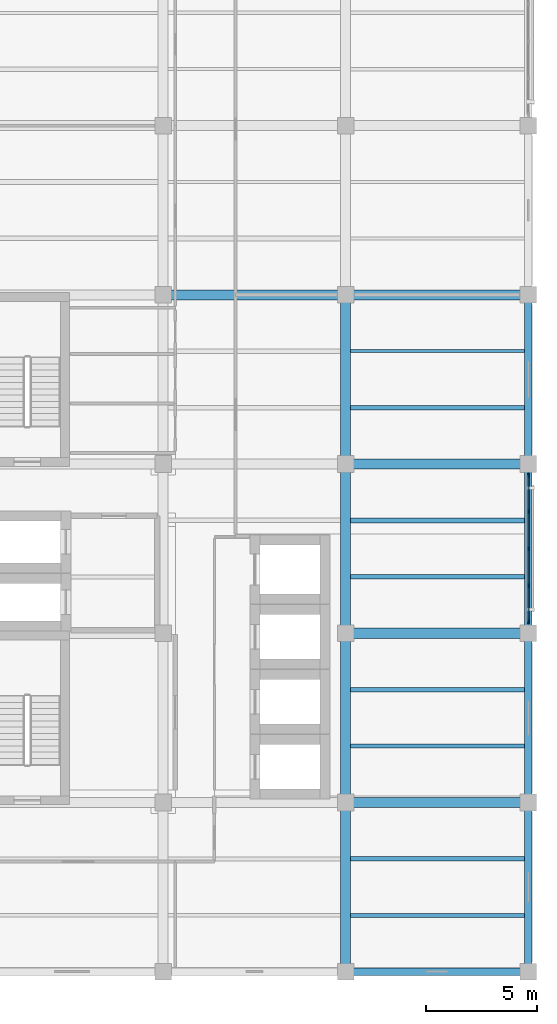
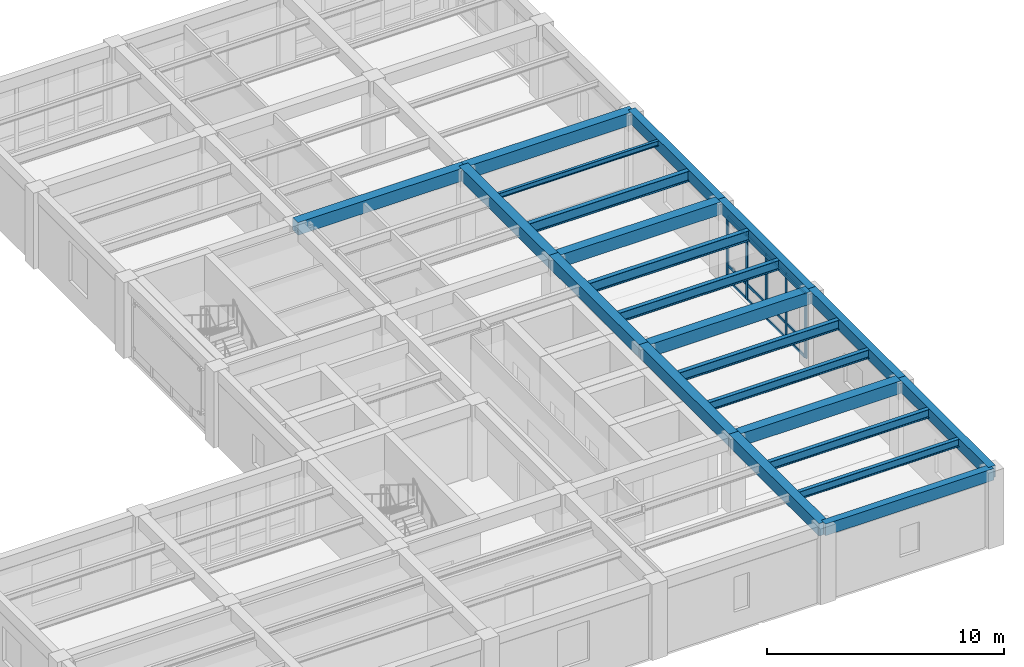
# One storey, part 3 of 13: 22 beams, 17 members, 1 element without a shape of its own.
"""IFC4 building model written with IfcOpenShell, lengths in metres."""

from ifc_helpers import new_model, si_unit, direction, frame, origin, origin_2d, place, context, subcontext, project, spatial, rectangle, i_section, extrude, material, material_profile, profile_set, type_object, element, aggregate, save


model = new_model("IFC4")

# Units and contexts
model_context = context("Model", 3, precision=1e-05, world=origin(), true_north=direction((0.0, 1.0)))
body_context = subcontext(model_context, "Body", "Model", "MODEL_VIEW")
ifc_project = project(units=[si_unit("LENGTHUNIT", "METRE"), si_unit("AREAUNIT", "SQUARE_METRE"), si_unit("VOLUMEUNIT", "CUBIC_METRE"), si_unit("PLANEANGLEUNIT", "RADIAN"), si_unit("MASSUNIT", "GRAM", prefix="KILO")], contexts=[model_context])

# Site, building, storey
site_placement = place(None, origin())
site = spatial("IfcSite", under=ifc_project, at=site_placement, CompositionType="ELEMENT")
building_placement = place(site_placement, origin())
building = spatial("IfcBuilding", under=site, at=building_placement, Name="Qandaris Square Conservatory and Botanical Centre", CompositionType="ELEMENT")
storey_placement = place(building_placement, frame((0.0, 0.0, 57.60009765625)))
storey = spatial("IfcBuildingStorey", under=building, at=storey_placement, Name="L13", CompositionType="ELEMENT", Elevation=57.60009765625)

# Beams
ifc_material_1 = material(Name="Steel S355", Category="steel")
ifc_material_profile_1 = material_profile(ifc_material_1, i_section(OverallWidth=0.18994140625, OverallDepth=0.449951171875, WebThickness=0.009521484375, FlangeThickness=0.0146484375, FilletRadius=0.02099609375, at=origin_2d()), Name="IPE 450")
ifc_profile_set_1 = profile_set([ifc_material_profile_1], Name="Steel S355")
beam_type_1 = type_object("IfcBeamType", Name="Composite Archive Joist IPE 450", PredefinedType="JOIST", material=ifc_profile_set_1)
for number, where, z_axis, x_axis, name in (
    (1, (155.824951171875, 21.666748046875, 3.684814453125), (1.0, 0.0, 0.0), (0.0, 1.0, 0.0), "L13 Composite Joist 2813"),
    (2, (155.824951171875, 26.7333984375, 3.684814453125), (1.0, 0.0, 0.0), (0.0, 1.0, 0.0), "L13 Composite Joist 2814"),
):
    element("IfcBeam", number, at=place(storey_placement, frame(where, z_axis=z_axis, x_axis=x_axis)), inside=storey, type_object=beam_type_1, Name=name, PredefinedType="JOIST", context=body_context, shape_type="SweptSolid", body=[
        extrude(i_section(OverallWidth=0.18994140625, OverallDepth=0.449951171875, WebThickness=0.009521484375, FlangeThickness=0.0146484375, FilletRadius=0.02099609375, at=origin_2d()), origin(), (0.0, 0.0, 1.0), 7.800048828125),
    ])
ifc_material_profile_2 = material_profile(ifc_material_1, i_section(OverallWidth=0.199951171875, OverallDepth=0.5, WebThickness=0.01025390625, FlangeThickness=0.01611328125, FilletRadius=0.02099609375, at=origin_2d()), Name="IPE 500")
ifc_profile_set_2 = profile_set([ifc_material_profile_2], Name="Steel S355")
beam_type_2 = type_object("IfcBeamType", Name="Composite Gallery Joist IPE 500", PredefinedType="JOIST", material=ifc_profile_set_2)
for number, where, z_axis, x_axis, name in (
    (3, (155.824951171875, 29.2666015625, 3.659912109375), (1.0, 0.0, 0.0), (0.0, 1.0, 0.0), "L13 Composite Joist 2815"),
    (4, (155.824951171875, 34.333251953125, 3.659912109375), (1.0, 0.0, 0.0), (0.0, 1.0, 0.0), "L13 Composite Joist 2816"),
):
    element("IfcBeam", number, at=place(storey_placement, frame(where, z_axis=z_axis, x_axis=x_axis)), inside=storey, type_object=beam_type_2, Name=name, PredefinedType="JOIST", context=body_context, shape_type="SweptSolid", body=[
        extrude(i_section(OverallWidth=0.199951171875, OverallDepth=0.5, WebThickness=0.01025390625, FlangeThickness=0.01611328125, FilletRadius=0.02099609375, at=origin_2d()), origin(), (0.0, 0.0, 1.0), 7.800048828125),
    ])
ifc_material_profile_3 = material_profile(ifc_material_1, i_section(OverallWidth=0.179931640625, OverallDepth=0.39990234375, WebThickness=0.008544921875, FlangeThickness=0.013427734375, FilletRadius=0.02099609375, at=origin_2d()), Name="IPE 400")
ifc_profile_set_3 = profile_set([ifc_material_profile_3], Name="Steel S355")
beam_type_3 = type_object("IfcBeamType", Name="Composite Plinth Joist IPE 400", PredefinedType="JOIST", material=ifc_profile_set_3)
beam_1_placement = place(storey_placement, frame((155.824951171875, 19.13330078125, 3.7099609375), z_axis=(1.0, 0.0, 0.0), x_axis=(0.0, 1.0, 0.0)))
element("IfcBeam", 5, at=beam_1_placement, inside=storey, type_object=beam_type_3, Name="L13 Composite Joist 2812", PredefinedType="JOIST", context=body_context, shape_type="SweptSolid", body=[
    extrude(i_section(OverallWidth=0.179931640625, OverallDepth=0.39990234375, WebThickness=0.008544921875, FlangeThickness=0.013427734375, FilletRadius=0.02099609375, at=origin_2d()), origin(), (0.0, 0.0, 1.0), 7.800048828125),
])

# Curtain wall, members
ifc_material_2 = material(Name="Anodised Aluminium", Category="aluminium")
curtain_wall_type = type_object("IfcCurtainWallType", Name="Unitised Curtain Wall CW-4-665x332", PredefinedType="USERDEFINED", material=ifc_material_2)
curtain_wall_placement = place(storey_placement, origin())
curtain_wall = element("IfcCurtainWall", 6, at=curtain_wall_placement, inside=storey, type_object=curtain_wall_type, Name="Curtain Wall CW-TWR-L13-2-3", ObjectType="GLAZED CURTAIN WALL", PredefinedType="USERDEFINED")
ifc_material_profile_4 = material_profile(ifc_material_2, rectangle(XDim=0.06494140625, YDim=0.179931640625, at=origin_2d()), Name="ALU-MUL 65x180")
ifc_profile_set_4 = profile_set([ifc_material_profile_4], Name="Anodised Aluminium")
member_type_1 = type_object("IfcMemberType", Name="Curtain Wall Mullion 65x180", PredefinedType="MULLION", material=ifc_profile_set_4)
member_1_placement = place(storey_placement, frame((163.800048828125, 32.3076171875, 0.0), z_axis=(0.0, 0.0, 1.0), x_axis=(-1.0, 0.0, 0.0)))
member_1 = element("IfcMember", 7, at=member_1_placement, type_object=member_type_1, Name="CW-4-665x332 mullion 1", PredefinedType="MULLION", context=body_context, shape_type="SweptSolid", body=[
    extrude(rectangle(XDim=0.06494140625, YDim=0.179931640625, at=origin_2d()), origin(), (0.0, 0.0, 1.0), 3.31982421875),
])
member_2_placement = place(storey_placement, frame((163.800048828125, 33.9375, 0.0), z_axis=(0.0, 0.0, 1.0), x_axis=(-1.0, 0.0, 0.0)))
member_2 = element("IfcMember", 8, at=member_2_placement, type_object=member_type_1, Name="CW-4-665x332 mullion 2", PredefinedType="MULLION", context=body_context, shape_type="SweptSolid", body=[
    extrude(rectangle(XDim=0.06494140625, YDim=0.179931640625, at=origin_2d()), origin(), (0.0, 0.0, 1.0), 3.31982421875),
])
member_3_placement = place(storey_placement, frame((163.800048828125, 35.60009765625, 0.0), z_axis=(0.0, 0.0, 1.0), x_axis=(-1.0, 0.0, 0.0)))
member_3 = element("IfcMember", 9, at=member_3_placement, type_object=member_type_1, Name="CW-4-665x332 mullion 3", PredefinedType="MULLION", context=body_context, shape_type="SweptSolid", body=[
    extrude(rectangle(XDim=0.06494140625, YDim=0.179931640625, at=origin_2d()), origin(), (0.0, 0.0, 1.0), 3.31982421875),
])
member_4_placement = place(storey_placement, frame((163.800048828125, 37.262451171875, 0.0), z_axis=(0.0, 0.0, 1.0), x_axis=(-1.0, 0.0, 0.0)))
member_4 = element("IfcMember", 10, at=member_4_placement, type_object=member_type_1, Name="CW-4-665x332 mullion 4", PredefinedType="MULLION", context=body_context, shape_type="SweptSolid", body=[
    extrude(rectangle(XDim=0.06494140625, YDim=0.179931640625, at=origin_2d()), origin(), (0.0, 0.0, 1.0), 3.31982421875),
])
member_5_placement = place(storey_placement, frame((163.800048828125, 38.892578125, 0.0), z_axis=(0.0, 0.0, 1.0), x_axis=(-1.0, 0.0, 0.0)))
member_5 = element("IfcMember", 11, at=member_5_placement, type_object=member_type_1, Name="CW-4-665x332 mullion 5", PredefinedType="MULLION", context=body_context, shape_type="SweptSolid", body=[
    extrude(rectangle(XDim=0.06494140625, YDim=0.179931640625, at=origin_2d()), origin(), (0.0, 0.0, 1.0), 3.31982421875),
])
ifc_material_profile_5 = material_profile(ifc_material_2, rectangle(XDim=0.06494140625, YDim=0.139892578125, at=origin_2d()), Name="ALU-TRN 65x140")
ifc_profile_set_5 = profile_set([ifc_material_profile_5], Name="Anodised Aluminium")
member_type_2 = type_object("IfcMemberType", Name="Curtain Wall Transom 65x140", PredefinedType="USERDEFINED", material=ifc_profile_set_5)
member_6_placement = place(storey_placement, frame((163.800048828125, 32.340087890625, 0.032470703125), z_axis=(0.0, 1.0, 0.0), x_axis=(-1.0, 0.0, 0.0)))
member_6 = element("IfcMember", 12, at=member_6_placement, type_object=member_type_2, Name="CW-4-665x332 transom 1.1", ObjectType="TRANSOM", PredefinedType="USERDEFINED", context=body_context, shape_type="SweptSolid", body=[
    extrude(rectangle(XDim=0.06494140625, YDim=0.139892578125, at=origin_2d()), origin(), (0.0, 0.0, 1.0), 1.56494140625),
])
member_7_placement = place(storey_placement, frame((163.800048828125, 32.340087890625, 0.796630859375), z_axis=(0.0, 1.0, 0.0), x_axis=(-1.0, 0.0, 0.0)))
member_7 = element("IfcMember", 13, at=member_7_placement, type_object=member_type_2, Name="CW-4-665x332 transom 1.2", ObjectType="TRANSOM", PredefinedType="USERDEFINED", context=body_context, shape_type="SweptSolid", body=[
    extrude(rectangle(XDim=0.06494140625, YDim=0.139892578125, at=origin_2d()), origin(), (0.0, 0.0, 1.0), 1.56494140625),
])
member_8_placement = place(storey_placement, frame((163.800048828125, 32.340087890625, 3.287353515625), z_axis=(0.0, 1.0, 0.0), x_axis=(-1.0, 0.0, 0.0)))
member_8 = element("IfcMember", 14, at=member_8_placement, type_object=member_type_2, Name="CW-4-665x332 transom 1.3", ObjectType="TRANSOM", PredefinedType="USERDEFINED", context=body_context, shape_type="SweptSolid", body=[
    extrude(rectangle(XDim=0.06494140625, YDim=0.139892578125, at=origin_2d()), origin(), (0.0, 0.0, 1.0), 1.56494140625),
])
member_9_placement = place(storey_placement, frame((163.800048828125, 33.969970703125, 0.032470703125), z_axis=(0.0, 1.0, 0.0), x_axis=(-1.0, 0.0, 0.0)))
member_9 = element("IfcMember", 15, at=member_9_placement, type_object=member_type_2, Name="CW-4-665x332 transom 2.1", ObjectType="TRANSOM", PredefinedType="USERDEFINED", context=body_context, shape_type="SweptSolid", body=[
    extrude(rectangle(XDim=0.06494140625, YDim=0.139892578125, at=origin_2d()), origin(), (0.0, 0.0, 1.0), 1.597412109375),
])
member_10_placement = place(storey_placement, frame((163.800048828125, 33.969970703125, 0.796630859375), z_axis=(0.0, 1.0, 0.0), x_axis=(-1.0, 0.0, 0.0)))
member_10 = element("IfcMember", 16, at=member_10_placement, type_object=member_type_2, Name="CW-4-665x332 transom 2.2", ObjectType="TRANSOM", PredefinedType="USERDEFINED", context=body_context, shape_type="SweptSolid", body=[
    extrude(rectangle(XDim=0.06494140625, YDim=0.139892578125, at=origin_2d()), origin(), (0.0, 0.0, 1.0), 1.597412109375),
])
member_11_placement = place(storey_placement, frame((163.800048828125, 33.969970703125, 3.287353515625), z_axis=(0.0, 1.0, 0.0), x_axis=(-1.0, 0.0, 0.0)))
member_11 = element("IfcMember", 17, at=member_11_placement, type_object=member_type_2, Name="CW-4-665x332 transom 2.3", ObjectType="TRANSOM", PredefinedType="USERDEFINED", context=body_context, shape_type="SweptSolid", body=[
    extrude(rectangle(XDim=0.06494140625, YDim=0.139892578125, at=origin_2d()), origin(), (0.0, 0.0, 1.0), 1.597412109375),
])
member_12_placement = place(storey_placement, frame((163.800048828125, 35.632568359375, 0.032470703125), z_axis=(0.0, 1.0, 0.0), x_axis=(-1.0, 0.0, 0.0)))
member_12 = element("IfcMember", 18, at=member_12_placement, type_object=member_type_2, Name="CW-4-665x332 transom 3.1", ObjectType="TRANSOM", PredefinedType="USERDEFINED", context=body_context, shape_type="SweptSolid", body=[
    extrude(rectangle(XDim=0.06494140625, YDim=0.139892578125, at=origin_2d()), origin(), (0.0, 0.0, 1.0), 1.597412109375),
])
member_13_placement = place(storey_placement, frame((163.800048828125, 35.632568359375, 0.796630859375), z_axis=(0.0, 1.0, 0.0), x_axis=(-1.0, 0.0, 0.0)))
member_13 = element("IfcMember", 19, at=member_13_placement, type_object=member_type_2, Name="CW-4-665x332 transom 3.2", ObjectType="TRANSOM", PredefinedType="USERDEFINED", context=body_context, shape_type="SweptSolid", body=[
    extrude(rectangle(XDim=0.06494140625, YDim=0.139892578125, at=origin_2d()), origin(), (0.0, 0.0, 1.0), 1.597412109375),
])
member_14_placement = place(storey_placement, frame((163.800048828125, 35.632568359375, 3.287353515625), z_axis=(0.0, 1.0, 0.0), x_axis=(-1.0, 0.0, 0.0)))
member_14 = element("IfcMember", 20, at=member_14_placement, type_object=member_type_2, Name="CW-4-665x332 transom 3.3", ObjectType="TRANSOM", PredefinedType="USERDEFINED", context=body_context, shape_type="SweptSolid", body=[
    extrude(rectangle(XDim=0.06494140625, YDim=0.139892578125, at=origin_2d()), origin(), (0.0, 0.0, 1.0), 1.597412109375),
])
member_15_placement = place(storey_placement, frame((163.800048828125, 37.294921875, 0.032470703125), z_axis=(0.0, 1.0, 0.0), x_axis=(-1.0, 0.0, 0.0)))
member_15 = element("IfcMember", 21, at=member_15_placement, type_object=member_type_2, Name="CW-4-665x332 transom 4.1", ObjectType="TRANSOM", PredefinedType="USERDEFINED", context=body_context, shape_type="SweptSolid", body=[
    extrude(rectangle(XDim=0.06494140625, YDim=0.139892578125, at=origin_2d()), origin(), (0.0, 0.0, 1.0), 1.565185546875),
])
member_16_placement = place(storey_placement, frame((163.800048828125, 37.294921875, 0.796630859375), z_axis=(0.0, 1.0, 0.0), x_axis=(-1.0, 0.0, 0.0)))
member_16 = element("IfcMember", 22, at=member_16_placement, type_object=member_type_2, Name="CW-4-665x332 transom 4.2", ObjectType="TRANSOM", PredefinedType="USERDEFINED", context=body_context, shape_type="SweptSolid", body=[
    extrude(rectangle(XDim=0.06494140625, YDim=0.139892578125, at=origin_2d()), origin(), (0.0, 0.0, 1.0), 1.565185546875),
])
member_17_placement = place(storey_placement, frame((163.800048828125, 37.294921875, 3.287353515625), z_axis=(0.0, 1.0, 0.0), x_axis=(-1.0, 0.0, 0.0)))
member_17 = element("IfcMember", 23, at=member_17_placement, type_object=member_type_2, Name="CW-4-665x332 transom 4.3", ObjectType="TRANSOM", PredefinedType="USERDEFINED", context=body_context, shape_type="SweptSolid", body=[
    extrude(rectangle(XDim=0.06494140625, YDim=0.139892578125, at=origin_2d()), origin(), (0.0, 0.0, 1.0), 1.565185546875),
])
aggregate(curtain_wall, [member_1, member_2, member_3, member_4, member_5, member_6, member_7, member_8, member_9, member_10, member_11, member_12, member_13, member_14, member_15, member_16, member_17])

# Beams
ifc_material_profile_6 = material_profile(ifc_material_1, i_section(OverallWidth=0.2099609375, OverallDepth=0.550048828125, WebThickness=0.010986328125, FlangeThickness=0.01708984375, FilletRadius=0.02392578125, at=origin_2d()), Name="IPE 550")
ifc_profile_set_6 = profile_set([ifc_material_profile_6], Name="Steel S355")
beam_type_4 = type_object("IfcBeamType", Name="Long-Span Foyer Joist IPE 550", PredefinedType="JOIST", material=ifc_profile_set_6)
for number, where, z_axis, x_axis, name in (
    (24, (155.824951171875, 36.86669921875, 3.635009765625), (1.0, 0.0, 0.0), (0.0, 1.0, 0.0), "L13 Composite Joist 2817"),
    (25, (155.824951171875, 41.933349609375, 3.635009765625), (1.0, 0.0, 0.0), (0.0, 1.0, 0.0), "L13 Composite Joist 2818"),
):
    element("IfcBeam", number, at=place(storey_placement, frame(where, z_axis=z_axis, x_axis=x_axis)), inside=storey, type_object=beam_type_4, Name=name, PredefinedType="JOIST", context=body_context, shape_type="SweptSolid", body=[
        extrude(i_section(OverallWidth=0.2099609375, OverallDepth=0.550048828125, WebThickness=0.010986328125, FlangeThickness=0.01708984375, FilletRadius=0.02392578125, at=origin_2d()), origin(), (0.0, 0.0, 1.0), 7.800048828125),
    ])
ifc_material_3 = material(Name="Concrete C50/60", Category="concrete")
ifc_material_profile_7 = material_profile(ifc_material_3, rectangle(XDim=0.35009765625, YDim=0.60009765625, at=origin_2d()), Name="RC-SP 350x600")
ifc_profile_set_7 = profile_set([ifc_material_profile_7], Name="Concrete C50/60")
beam_type_5 = type_object("IfcBeamType", Name="RC Edge Spandrel Beam 350x600", PredefinedType="SPANDREL", material=ifc_profile_set_7)
beam_2_placement = place(storey_placement, frame((155.60009765625, 16.60009765625, 3.619873046875), z_axis=(1.0, 0.0, 0.0), x_axis=(0.0, 1.0, 0.0)))
element("IfcBeam", 26, at=beam_2_placement, inside=storey, type_object=beam_type_5, Name="L13 Frame Beam 2738", PredefinedType="SPANDREL", context=body_context, shape_type="SweptSolid", body=[
    extrude(rectangle(XDim=0.35009765625, YDim=0.60009765625, at=origin_2d()), origin(), (0.0, 0.0, 1.0), 8.199951171875),
])
beam_3_placement = place(storey_placement, frame((163.800048828125, 16.60009765625, 3.619873046875), z_axis=(0.0, 1.0, 0.0), x_axis=(-1.0, 0.0, 0.0)))
element("IfcBeam", 27, at=beam_3_placement, inside=storey, type_object=beam_type_5, Name="L13 Frame Beam 2782", PredefinedType="SPANDREL", context=body_context, shape_type="SweptSolid", body=[
    extrude(rectangle(XDim=0.35009765625, YDim=0.60009765625, at=origin_2d()), origin(), (0.0, 0.0, 1.0), 7.599853515625),
])
beam_4_placement = place(storey_placement, frame((163.800048828125, 24.199951171875, 3.619873046875), z_axis=(0.0, 1.0, 0.0), x_axis=(-1.0, 0.0, 0.0)))
element("IfcBeam", 28, at=beam_4_placement, inside=storey, type_object=beam_type_5, Name="L13 Frame Beam 2783", PredefinedType="SPANDREL", context=body_context, shape_type="SweptSolid", body=[
    extrude(rectangle(XDim=0.35009765625, YDim=0.60009765625, at=origin_2d()), origin(), (0.0, 0.0, 1.0), 7.60009765625),
])
beam_5_placement = place(storey_placement, frame((163.800048828125, 31.800048828125, 3.619873046875), z_axis=(0.0, 1.0, 0.0), x_axis=(-1.0, 0.0, 0.0)))
element("IfcBeam", 29, at=beam_5_placement, inside=storey, type_object=beam_type_5, Name="L13 Frame Beam 2784", PredefinedType="SPANDREL", context=body_context, shape_type="SweptSolid", body=[
    extrude(rectangle(XDim=0.35009765625, YDim=0.60009765625, at=origin_2d()), origin(), (0.0, 0.0, 1.0), 7.599853515625),
])
beam_6_placement = place(storey_placement, frame((163.800048828125, 39.39990234375, 3.619873046875), z_axis=(0.0, 1.0, 0.0), x_axis=(-1.0, 0.0, 0.0)))
element("IfcBeam", 30, at=beam_6_placement, inside=storey, type_object=beam_type_5, Name="L13 Frame Beam 2785", PredefinedType="SPANDREL", context=body_context, shape_type="SweptSolid", body=[
    extrude(rectangle(XDim=0.35009765625, YDim=0.60009765625, at=origin_2d()), origin(), (0.0, 0.0, 1.0), 7.60009765625),
])
ifc_material_profile_8 = material_profile(ifc_material_3, rectangle(XDim=0.449951171875, YDim=0.64990234375, at=origin_2d()), Name="RC-BM 450x650")
ifc_profile_set_8 = profile_set([ifc_material_profile_8], Name="Concrete C50/60")
beam_type_6 = type_object("IfcBeamType", Name="RC Floor Girder 450x650", PredefinedType="BEAM", material=ifc_profile_set_8)
for number, where, z_axis, x_axis, name in (
    (31, (155.60009765625, 24.199951171875, 3.594970703125), (1.0, 0.0, 0.0), (0.0, 1.0, 0.0), "L13 Frame Beam 2743"),
    (32, (155.60009765625, 31.800048828125, 3.594970703125), (1.0, 0.0, 0.0), (0.0, 1.0, 0.0), "L13 Frame Beam 2747"),
    (33, (155.60009765625, 39.39990234375, 3.594970703125), (1.0, 0.0, 0.0), (0.0, 1.0, 0.0), "L13 Frame Beam 2750"),
):
    element("IfcBeam", number, at=place(storey_placement, frame(where, z_axis=z_axis, x_axis=x_axis)), inside=storey, type_object=beam_type_6, Name=name, PredefinedType="BEAM", context=body_context, shape_type="SweptSolid", body=[
        extrude(rectangle(XDim=0.449951171875, YDim=0.64990234375, at=origin_2d()), origin(), (0.0, 0.0, 1.0), 8.199951171875),
    ])
beam_7_placement = place(storey_placement, frame((147.39990234375, 47.0, 3.594970703125), z_axis=(1.0, 0.0, 0.0), x_axis=(0.0, 1.0, 0.0)))
element("IfcBeam", 34, at=beam_7_placement, inside=storey, type_object=beam_type_6, Name="L13 Frame Beam 2752", PredefinedType="BEAM", context=body_context, shape_type="SweptSolid", body=[
    extrude(rectangle(XDim=0.449951171875, YDim=0.64990234375, at=origin_2d()), origin(), (0.0, 0.0, 1.0), 8.2001953125),
])
beam_8_placement = place(storey_placement, frame((155.60009765625, 47.0, 3.594970703125), z_axis=(1.0, 0.0, 0.0), x_axis=(0.0, 1.0, 0.0)))
element("IfcBeam", 35, at=beam_8_placement, inside=storey, type_object=beam_type_6, Name="L13 Frame Beam 2753", PredefinedType="BEAM", context=body_context, shape_type="SweptSolid", body=[
    extrude(rectangle(XDim=0.449951171875, YDim=0.64990234375, at=origin_2d()), origin(), (0.0, 0.0, 1.0), 8.199951171875),
])
beam_9_placement = place(storey_placement, frame((155.60009765625, 16.60009765625, 3.594970703125), z_axis=(0.0, 1.0, 0.0), x_axis=(-1.0, 0.0, 0.0)))
element("IfcBeam", 36, at=beam_9_placement, inside=storey, type_object=beam_type_6, Name="L13 Frame Beam 2776", PredefinedType="BEAM", context=body_context, shape_type="SweptSolid", body=[
    extrude(rectangle(XDim=0.449951171875, YDim=0.64990234375, at=origin_2d()), origin(), (0.0, 0.0, 1.0), 7.599853515625),
])
beam_10_placement = place(storey_placement, frame((155.60009765625, 24.199951171875, 3.594970703125), z_axis=(0.0, 1.0, 0.0), x_axis=(-1.0, 0.0, 0.0)))
element("IfcBeam", 37, at=beam_10_placement, inside=storey, type_object=beam_type_6, Name="L13 Frame Beam 2777", PredefinedType="BEAM", context=body_context, shape_type="SweptSolid", body=[
    extrude(rectangle(XDim=0.449951171875, YDim=0.64990234375, at=origin_2d()), origin(), (0.0, 0.0, 1.0), 7.60009765625),
])
beam_11_placement = place(storey_placement, frame((155.60009765625, 31.800048828125, 3.594970703125), z_axis=(0.0, 1.0, 0.0), x_axis=(-1.0, 0.0, 0.0)))
element("IfcBeam", 38, at=beam_11_placement, inside=storey, type_object=beam_type_6, Name="L13 Frame Beam 2778", PredefinedType="BEAM", context=body_context, shape_type="SweptSolid", body=[
    extrude(rectangle(XDim=0.449951171875, YDim=0.64990234375, at=origin_2d()), origin(), (0.0, 0.0, 1.0), 7.599853515625),
])
beam_12_placement = place(storey_placement, frame((155.60009765625, 39.39990234375, 3.594970703125), z_axis=(0.0, 1.0, 0.0), x_axis=(-1.0, 0.0, 0.0)))
element("IfcBeam", 39, at=beam_12_placement, inside=storey, type_object=beam_type_6, Name="L13 Frame Beam 2779", PredefinedType="BEAM", context=body_context, shape_type="SweptSolid", body=[
    extrude(rectangle(XDim=0.449951171875, YDim=0.64990234375, at=origin_2d()), origin(), (0.0, 0.0, 1.0), 7.60009765625),
])
ifc_material_profile_9 = material_profile(ifc_material_1, i_section(OverallWidth=0.135009765625, OverallDepth=0.27001953125, WebThickness=0.006591796875, FlangeThickness=0.01025390625, FilletRadius=0.014892578125, at=origin_2d()), Name="IPE 270")
ifc_profile_set_9 = profile_set([ifc_material_profile_9], Name="Steel S355")
beam_type_7 = type_object("IfcBeamType", Name="Steel Floor Joist IPE 270", PredefinedType="JOIST", material=ifc_profile_set_9)
beam_13_placement = place(storey_placement, frame((155.824951171875, 44.466796875, 3.77490234375), z_axis=(1.0, 0.0, 0.0), x_axis=(0.0, 1.0, 0.0)))
element("IfcBeam", 40, at=beam_13_placement, inside=storey, type_object=beam_type_7, Name="L13 Composite Joist 2819", PredefinedType="JOIST", context=body_context, shape_type="SweptSolid", body=[
    extrude(i_section(OverallWidth=0.135009765625, OverallDepth=0.27001953125, WebThickness=0.006591796875, FlangeThickness=0.01025390625, FilletRadius=0.014892578125, at=origin_2d()), origin(), (0.0, 0.0, 1.0), 7.800048828125),
])

save(model, "model.ifc")
